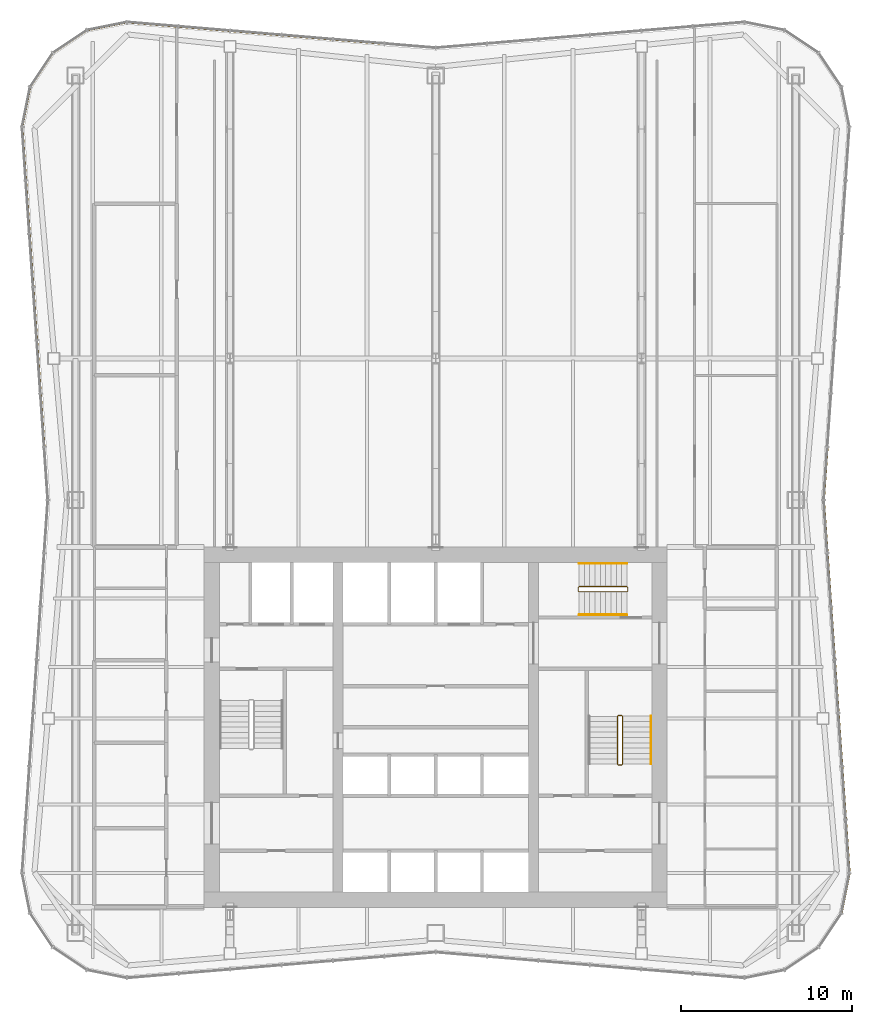
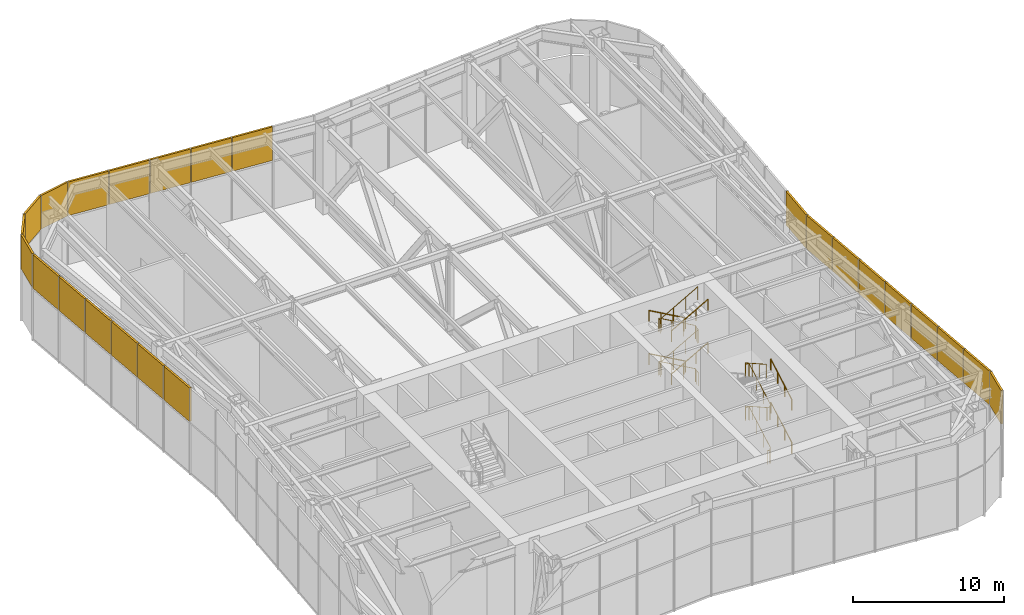
# One storey, part 13 of 14: 24 shading devices, 8 railings, 5 elements without a shape of their own.
"""IFC4 building model written with IfcOpenShell, lengths in metres."""

import ifcopenshell
import ifcopenshell.guid

model = None  # the IFC model being written
_history = None  # IfcOwnerHistory: only IFC2X3 demands one
_inside = {}  # id of a spatial element -> (the spatial element, [elements in it])
_under = {}  # id of a project, library or spatial element -> (it, [spatial elements below it])
_declared = {}  # id of a project -> (the project, [libraries it declares])
_typed = {}  # id of a type object -> (the type object, [elements of that type])
_made_of = {}  # id of a material, layer set ... -> (it, [elements and type objects made of it])


def new_model(schema):
    """Start an empty IFC model of exactly this schema.

    Asked for "IFC4X3", IfcOpenShell would pick the latest addendum, in which some entities
    have other attributes; the version numbers below select the first issue.
    IFC2X3 requires an IfcOwnerHistory on every rooted entity: one is made here for all.
    """
    global model, _history
    if schema == "IFC4X3":
        model = ifcopenshell.file(schema_version=(4, 3, 0, 0))
    else:
        model = ifcopenshell.file(schema=schema)
    _inside.clear()
    _under.clear()
    _declared.clear()
    _typed.clear()
    _made_of.clear()
    _history = None
    if model.schema == "IFC2X3":
        org = make("IfcOrganization", Name="unknown")
        user = make(
            "IfcPersonAndOrganization",
            ThePerson=make("IfcPerson", FamilyName="unknown"),
            TheOrganization=org,
        )
        app = make(
            "IfcApplication",
            ApplicationDeveloper=org,
            Version="unknown",
            ApplicationFullName="unknown",
            ApplicationIdentifier="unknown",
        )
        _history = make(
            "IfcOwnerHistory",
            OwningUser=user,
            OwningApplication=app,
            ChangeAction="ADDED",
            CreationDate=0,
        )
    return model


def make(cls, **values):
    """One entity of the class cls with the attributes given. An attribute that is None is left unset."""
    return model.create_entity(
        cls, **{name: value for name, value in values.items() if value is not None}
    )


def rooted(cls, **values):
    """An entity with a GlobalId (a new one), such as an element, a storey or a relation."""
    return make(cls, GlobalId=ifcopenshell.guid.new(), OwnerHistory=_history, **values)


def si_unit(unit_type, name, prefix=None):
    """IfcSIUnit, for example si_unit("LENGTHUNIT", "METRE", prefix="MILLI")."""
    return make("IfcSIUnit", UnitType=unit_type, Prefix=prefix, Name=name)


def assignment(units):
    """IfcUnitAssignment: the units of a project."""
    return None if units is None else make("IfcUnitAssignment", Units=units)


def point(xyz):
    """IfcCartesianPoint."""
    return None if xyz is None else make("IfcCartesianPoint", Coordinates=xyz)


def direction(xyz):
    """IfcDirection."""
    return None if xyz is None else make("IfcDirection", DirectionRatios=xyz)


def frame(location, z_axis=None, x_axis=None):
    """IfcAxis2Placement3D, a coordinate frame: its origin and axes. An axis left out is left unset."""
    return make(
        "IfcAxis2Placement3D",
        Location=point(location),
        Axis=direction(z_axis),
        RefDirection=direction(x_axis),
    )


def frame_2d(location, x_axis=None):
    """IfcAxis2Placement2D, a coordinate frame in the plane: its origin and x axis."""
    return make(
        "IfcAxis2Placement2D", Location=point(location), RefDirection=direction(x_axis)
    )


def origin():
    """The frame at (0, 0, 0) with its axes left unset."""
    return frame((0.0, 0.0, 0.0))


def origin_2d():
    """The frame at (0, 0) in the plane with its x axis left unset."""
    return frame_2d((0.0, 0.0))


def place(relative_to, where):
    """IfcLocalPlacement: puts the frame where relative to a parent placement (None: the world)."""
    return make(
        "IfcLocalPlacement", PlacementRelTo=relative_to, RelativePlacement=where
    )


def context(
    kind, dimensions, precision=None, world=None, true_north=None, identifier=None
):
    """IfcGeometricRepresentationContext, for example the 3D "Model" context."""
    return make(
        "IfcGeometricRepresentationContext",
        ContextIdentifier=identifier,
        ContextType=kind,
        CoordinateSpaceDimension=dimensions,
        Precision=precision,
        WorldCoordinateSystem=world,
        TrueNorth=true_north,
    )


def subcontext(parent, identifier, kind, view, scale=None):
    """IfcGeometricRepresentationSubContext, for example "Body" below "Model"."""
    return make(
        "IfcGeometricRepresentationSubContext",
        ContextIdentifier=identifier,
        ContextType=kind,
        ParentContext=parent,
        TargetScale=scale,
        TargetView=view,
    )


def project(units=None, contexts=None):
    """IfcProject with its units and contexts."""
    return rooted(
        "IfcProject",
        Name="project",
        RepresentationContexts=contexts,
        UnitsInContext=assignment(units),
    )


def spatial(cls, under=None, at=None, **own):
    """A site, building, storey or space (cls), placed at a placement, below another one or the project."""
    s = rooted(cls, ObjectPlacement=at, **own)
    if under is not None:
        _under.setdefault(under.id(), (under, []))[1].append(s)
    return s


def profile(cls, at=None, kind="AREA", **sizes):
    """A parametric profile (cls). Its sizes go by their IFC names, for example OverallWidth=200.0."""
    return make(cls, ProfileType=kind, Position=at, **sizes)


def rectangle(**sizes):
    """IfcRectangleProfileDef."""
    return profile("IfcRectangleProfileDef", **sizes)


def circle(**sizes):
    """IfcCircleProfileDef."""
    return profile("IfcCircleProfileDef", **sizes)


def extrude(swept, where, along, depth):
    """IfcExtrudedAreaSolid: the profile swept, set in the frame where, extruded along a direction by depth."""
    return make(
        "IfcExtrudedAreaSolid",
        SweptArea=swept,
        Position=where,
        ExtrudedDirection=direction(along),
        Depth=depth,
    )


def shape(context_of_items, identifier, shape_type, items):
    """IfcShapeRepresentation: the items that make up one representation, for example the "Body"."""
    return make(
        "IfcShapeRepresentation",
        ContextOfItems=context_of_items,
        RepresentationIdentifier=identifier,
        RepresentationType=shape_type,
        Items=items,
    )


def material(Name=None, Category=None):
    """IfcMaterial."""
    return make("IfcMaterial", Name=Name, Category=Category)


def layer(
    of_material, thickness, ventilated=None, Name=None, Category=None, Priority=None
):
    """IfcMaterialLayer: one layer of a wall or slab, of a material (None: an air gap)."""
    return make(
        "IfcMaterialLayer",
        Material=of_material,
        LayerThickness=thickness,
        IsVentilated=ventilated,
        Name=Name,
        Category=Category,
        Priority=Priority,
    )


def layer_set(layers, Name=None):
    """IfcMaterialLayerSet."""
    return make("IfcMaterialLayerSet", MaterialLayers=layers, LayerSetName=Name)


def made_of(thing, what):
    """Note that an element or type object is made of a material, layer set ...; save() writes the relation."""
    if what is not None:
        _made_of.setdefault(what.id(), (what, []))[1].append(thing)
    return thing


def type_object(cls, material=None, **own):
    """A type object (cls), such as IfcWallType, which elements share."""
    return made_of(rooted(cls, **own), material)


def element(
    cls,
    number,
    at=None,
    inside=None,
    cuts=None,
    type_object=None,
    material=None,
    context=None,
    identifier="Body",
    shape_type=None,
    held_by="IfcProductDefinitionShape",
    body=None,
    shapes=None,
    **own,
):
    """One element of the class cls, such as IfcWall. Its Tag is "e" and its number.

    at: its placement. inside: the storey or other place that contains it. cuts: it is an
    opening in that element (IfcRelVoidsElement). A single representation is given by context,
    identifier, shape_type and body (its items); several are given by shapes. held_by: the class
    of the entity that holds the representations. save() writes the other relations.
    """
    e = rooted(cls, Tag="e%d" % number, ObjectPlacement=at, **own)
    if body is not None:
        shapes = [shape(context, identifier, shape_type, body)]
    if shapes is not None:
        e.Representation = make(held_by, Representations=shapes)
    if inside is not None:
        _inside.setdefault(inside.id(), (inside, []))[1].append(e)
    if cuts is not None:
        rooted(
            "IfcRelVoidsElement", RelatingBuildingElement=cuts, RelatedOpeningElement=e
        )
    if type_object is not None:
        _typed.setdefault(type_object.id(), (type_object, []))[1].append(e)
    return made_of(e, material)


def aggregate(whole, parts):
    """IfcRelAggregates: a whole, such as a stair, and the parts it consists of."""
    return rooted("IfcRelAggregates", RelatingObject=whole, RelatedObjects=parts)


def save(model, path):
    """Write the relations noted so far, then the file.

    IfcRelAggregates (storeys below a building ...), IfcRelContainedInSpatialStructure (elements
    in a storey), IfcRelDefinesByType, IfcRelAssociatesMaterial and IfcRelDeclares: one each for
    every whole, place, type object, material and project.
    """
    for whole, parts in _under.values():
        aggregate(whole, parts)
    for where, things in _inside.values():
        rooted(
            "IfcRelContainedInSpatialStructure",
            RelatedElements=things,
            RelatingStructure=where,
        )
    for kind, things in _typed.values():
        rooted("IfcRelDefinesByType", RelatedObjects=things, RelatingType=kind)
    for what, things in _made_of.values():
        rooted("IfcRelAssociatesMaterial", RelatedObjects=things, RelatingMaterial=what)
    for by, libraries in _declared.values():
        rooted("IfcRelDeclares", RelatingContext=by, RelatedDefinitions=libraries)
    model.write(path)


model = new_model("IFC4")

# Units and contexts
model_context = context("Model", 3, precision=1e-05, world=origin(), true_north=direction((0.0, 1.0)))
body_context = subcontext(model_context, "Body", "Model", "MODEL_VIEW")
ifc_project = project(units=[si_unit("LENGTHUNIT", "METRE"), si_unit("AREAUNIT", "SQUARE_METRE"), si_unit("VOLUMEUNIT", "CUBIC_METRE"), si_unit("PLANEANGLEUNIT", "RADIAN"), si_unit("MASSUNIT", "GRAM", prefix="KILO")], contexts=[model_context])

# Site, building, storey
site_placement = place(None, origin())
site = spatial("IfcSite", under=ifc_project, at=site_placement, CompositionType="ELEMENT")
building_placement = place(site_placement, origin())
building = spatial("IfcBuilding", under=site, at=building_placement, Name="Verdant Reach Tower", CompositionType="ELEMENT")
storey_placement = place(building_placement, frame((0.0, 0.0, 226.0)))
storey = spatial("IfcBuildingStorey", under=building, at=storey_placement, Name="L52 Plant", CompositionType="ELEMENT", Elevation=226.0)

# Railings
ifc_material_1 = material(Name="Stainless steel", Category="steel")
railing_type_1 = type_object("IfcRailingType", Name="CO-GUARD", PredefinedType="GUARDRAIL", material=ifc_material_1)
railing_1_placement = place(storey_placement, frame((10.64990234375, 25.800048828125, 0.0)))
element("IfcRailing", 1, at=railing_1_placement, inside=storey, type_object=railing_type_1, Name="L52 Plant ST-2 stair guard 1", PredefinedType="GUARDRAIL", context=body_context, shape_type="SweptSolid", body=[
    extrude(circle(Radius=0.02392578125, at=origin_2d()), frame((0.0, 0.0, 1.076171875), z_axis=(1.0, 0.0, 0.0), x_axis=(0.0, 1.0, 0.0)), (0.0, 0.0, 1.0), 0.2001953125),
    extrude(circle(Radius=0.02392578125, at=origin_2d()), frame((0.2001953125, 0.0, 1.076171875), z_axis=(0.263862480399, 0.265155923931, 0.927399011991), x_axis=(-0.708833529934, 0.705375805398, 0.0)), (0.0, 0.0, 1.0), 0.188720703125),
    extrude(circle(Radius=0.02392578125, at=origin_2d()), frame((0.25, 0.050048828125, 1.2509765625), z_axis=(0.0, 0.870815363784, 0.491610213684), x_axis=(-1.0, 0.0, 0.0)), (0.0, 0.0, 1.0), 3.20361328125),
    extrude(circle(Radius=0.02392578125, at=origin_2d()), frame((0.25, 2.83984375, 2.826171875), z_axis=(-0.705375805398, 0.708833529934, 0.0), x_axis=(-0.708833529934, -0.705375805398, 0.0)), (0.0, 0.0, 1.0), 0.070556640625),
    extrude(circle(Radius=0.02392578125, at=origin_2d()), frame((0.2001953125, 2.889892578125, 2.826171875), z_axis=(-1.0, 0.0, 0.0), x_axis=(0.0, -1.0, 0.0)), (0.0, 0.0, 1.0), 0.2001953125),
    extrude(circle(Radius=0.02392578125, at=origin_2d()), frame((0.0, 2.889892578125, 2.826171875), z_axis=(-0.263862480399, -0.265155923931, 0.927399011991), x_axis=(0.708833529934, -0.705375805398, 0.0)), (0.0, 0.0, 1.0), 0.188720703125),
    extrude(circle(Radius=0.02392578125, at=origin_2d()), frame((-0.0498046875, 2.83984375, 3.0009765625), z_axis=(0.0, -0.870815363784, 0.491610213684), x_axis=(1.0, 0.0, 0.0)), (0.0, 0.0, 1.0), 3.20361328125),
    extrude(circle(Radius=0.02392578125, at=origin_2d()), frame((-0.0498046875, 0.050048828125, 4.576171875), z_axis=(0.705375805398, -0.708833529934, 0.0), x_axis=(0.708833529934, 0.705375805398, 0.0)), (0.0, 0.0, 1.0), 0.070556640625),
    extrude(circle(Radius=0.02392578125, at=origin_2d()), frame((0.0, 0.0, 4.576171875), z_axis=(1.0, 0.0, 0.0), x_axis=(0.0, 1.0, 0.0)), (0.0, 0.0, 1.0), 0.2001953125),
    extrude(circle(Radius=0.02392578125, at=origin_2d()), frame((0.2001953125, 0.0, 4.576171875), z_axis=(0.263862480399, 0.265155923931, 0.927399011991), x_axis=(-0.708833529934, 0.705375805398, 0.0)), (0.0, 0.0, 1.0), 0.188720703125),
    extrude(circle(Radius=0.02392578125, at=origin_2d()), frame((0.25, 0.050048828125, 4.7509765625), z_axis=(0.0, 0.870815363784, 0.491610213684), x_axis=(-1.0, 0.0, 0.0)), (0.0, 0.0, 1.0), 3.20361328125),
    extrude(circle(Radius=0.02392578125, at=origin_2d()), frame((0.25, 2.83984375, 6.326171875), z_axis=(-0.705375805398, 0.708833529934, 0.0), x_axis=(-0.708833529934, -0.705375805398, 0.0)), (0.0, 0.0, 1.0), 0.070556640625),
    extrude(circle(Radius=0.02392578125, at=origin_2d()), frame((0.2001953125, 2.889892578125, 6.326171875), z_axis=(-1.0, 0.0, 0.0), x_axis=(0.0, -1.0, 0.0)), (0.0, 0.0, 1.0), 0.2001953125),
    extrude(circle(Radius=0.02392578125, at=origin_2d()), frame((0.0, 2.889892578125, 6.326171875), z_axis=(-0.263862480399, -0.265155923931, 0.927399011991), x_axis=(0.708833529934, -0.705375805398, 0.0)), (0.0, 0.0, 1.0), 0.188720703125),
    extrude(circle(Radius=0.02392578125, at=origin_2d()), frame((-0.0498046875, 2.83984375, 6.5009765625), z_axis=(0.0, -0.870815363784, 0.491610213684), x_axis=(1.0, 0.0, 0.0)), (0.0, 0.0, 1.0), 3.20361328125),
    extrude(circle(Radius=0.02099609375, at=origin_2d()), origin(), (0.0, 0.0, 1.0), 1.052001953125),
    extrude(circle(Radius=0.02099609375, at=origin_2d()), frame((0.2001953125, 0.0, 0.0)), (0.0, 0.0, 1.0), 1.052001953125),
    extrude(circle(Radius=0.02099609375, at=origin_2d()), frame((0.25, 0.050048828125, 0.175048828125)), (0.0, 0.0, 1.0), 1.052001953125),
    extrude(circle(Radius=0.02099609375, at=origin_2d()), frame((0.25, 0.97998046875, 0.699951171875)), (0.0, 0.0, 1.0), 1.052001953125),
    extrude(circle(Radius=0.02099609375, at=origin_2d()), frame((0.25, 1.909912109375, 1.22509765625)), (0.0, 0.0, 1.0), 1.052001953125),
    extrude(circle(Radius=0.02099609375, at=origin_2d()), frame((0.25, 2.83984375, 1.75)), (0.0, 0.0, 1.0), 1.052001953125),
    extrude(circle(Radius=0.02099609375, at=origin_2d()), frame((0.2001953125, 2.889892578125, 1.75)), (0.0, 0.0, 1.0), 1.052001953125),
    extrude(circle(Radius=0.02099609375, at=origin_2d()), frame((0.0, 2.889892578125, 1.75)), (0.0, 0.0, 1.0), 1.052001953125),
    extrude(circle(Radius=0.02099609375, at=origin_2d()), frame((-0.0498046875, 2.83984375, 1.925048828125)), (0.0, 0.0, 1.0), 1.052001953125),
    extrude(circle(Radius=0.02099609375, at=origin_2d()), frame((-0.0498046875, 1.909912109375, 2.449951171875)), (0.0, 0.0, 1.0), 1.052001953125),
    extrude(circle(Radius=0.02099609375, at=origin_2d()), frame((-0.0498046875, 0.97998046875, 2.97509765625)), (0.0, 0.0, 1.0), 1.052001953125),
    extrude(circle(Radius=0.02099609375, at=origin_2d()), frame((-0.0498046875, 0.050048828125, 3.5)), (0.0, 0.0, 1.0), 1.052001953125),
    extrude(circle(Radius=0.02099609375, at=origin_2d()), frame((0.0, 0.0, 3.5)), (0.0, 0.0, 1.0), 1.052001953125),
    extrude(circle(Radius=0.02099609375, at=origin_2d()), frame((0.2001953125, 0.0, 3.5)), (0.0, 0.0, 1.0), 1.052001953125),
    extrude(circle(Radius=0.02099609375, at=origin_2d()), frame((0.25, 0.050048828125, 3.675048828125)), (0.0, 0.0, 1.0), 1.052001953125),
    extrude(circle(Radius=0.02099609375, at=origin_2d()), frame((0.25, 0.97998046875, 4.199951171875)), (0.0, 0.0, 1.0), 1.052001953125),
    extrude(circle(Radius=0.02099609375, at=origin_2d()), frame((0.25, 1.909912109375, 4.72509765625)), (0.0, 0.0, 1.0), 1.052001953125),
    extrude(circle(Radius=0.02099609375, at=origin_2d()), frame((0.25, 2.83984375, 5.25)), (0.0, 0.0, 1.0), 1.052001953125),
    extrude(circle(Radius=0.02099609375, at=origin_2d()), frame((0.2001953125, 2.889892578125, 5.25)), (0.0, 0.0, 1.0), 1.052001953125),
    extrude(circle(Radius=0.02099609375, at=origin_2d()), frame((0.0, 2.889892578125, 5.25)), (0.0, 0.0, 1.0), 1.052001953125),
    extrude(circle(Radius=0.02099609375, at=origin_2d()), frame((-0.0498046875, 2.83984375, 5.425048828125)), (0.0, 0.0, 1.0), 1.052001953125),
    extrude(circle(Radius=0.02099609375, at=origin_2d()), frame((-0.0498046875, 1.909912109375, 5.949951171875)), (0.0, 0.0, 1.0), 1.052001953125),
    extrude(circle(Radius=0.02099609375, at=origin_2d()), frame((-0.0498046875, 0.97998046875, 6.47509765625)), (0.0, 0.0, 1.0), 1.052001953125),
    extrude(circle(Radius=0.02099609375, at=origin_2d()), frame((-0.0498046875, 0.050048828125, 7.0)), (0.0, 0.0, 1.0), 1.052001953125),
])
railing_2_placement = place(storey_placement, frame((11.199951171875, 35.949951171875, 0.0)))
element("IfcRailing", 2, at=railing_2_placement, inside=storey, type_object=railing_type_1, Name="L52 Plant ST-3 stair guard 1", PredefinedType="GUARDRAIL", context=body_context, shape_type="SweptSolid", body=[
    extrude(circle(Radius=0.02392578125, at=origin_2d()), frame((0.0, 0.0, 1.076171875), z_axis=(0.0, 1.0, 0.0), x_axis=(-1.0, 0.0, 0.0)), (0.0, 0.0, 1.0), 0.199951171875),
    extrude(circle(Radius=0.02392578125, at=origin_2d()), frame((0.0, 0.199951171875, 1.076171875), z_axis=(-0.265065253269, 0.265065253269, 0.927081885822), x_axis=(-0.707106781187, -0.707106781187, 0.0)), (0.0, 0.0, 1.0), 0.188720703125),
    extrude(circle(Radius=0.02392578125, at=origin_2d()), frame((-0.050048828125, 0.25, 1.2509765625), z_axis=(-0.870815363784, 0.0, 0.491610213684), x_axis=(0.0, -1.0, 0.0)), (0.0, 0.0, 1.0), 3.20361328125),
    extrude(circle(Radius=0.02392578125, at=origin_2d()), frame((-2.83984375, 0.25, 2.826171875), z_axis=(-0.707106781187, -0.707106781187, 0.0), x_axis=(0.707106781187, -0.707106781187, 0.0)), (0.0, 0.0, 1.0), 0.07080078125),
    extrude(circle(Radius=0.02392578125, at=origin_2d()), frame((-2.889892578125, 0.199951171875, 2.826171875), z_axis=(0.0, -1.0, 0.0), x_axis=(1.0, 0.0, 0.0)), (0.0, 0.0, 1.0), 0.199951171875),
    extrude(circle(Radius=0.02392578125, at=origin_2d()), frame((-2.889892578125, 0.0, 2.826171875), z_axis=(0.265065253269, -0.265065253269, 0.927081885822), x_axis=(0.707106781187, 0.707106781187, 0.0)), (0.0, 0.0, 1.0), 0.188720703125),
    extrude(circle(Radius=0.02392578125, at=origin_2d()), frame((-2.83984375, -0.050048828125, 3.0009765625), z_axis=(0.870815363784, 0.0, 0.491610213684), x_axis=(0.0, 1.0, 0.0)), (0.0, 0.0, 1.0), 3.20361328125),
    extrude(circle(Radius=0.02392578125, at=origin_2d()), frame((-0.050048828125, -0.050048828125, 4.576171875), z_axis=(0.707106781187, 0.707106781187, 0.0), x_axis=(-0.707106781187, 0.707106781187, 0.0)), (0.0, 0.0, 1.0), 0.07080078125),
    extrude(circle(Radius=0.02392578125, at=origin_2d()), frame((0.0, 0.0, 4.576171875), z_axis=(0.0, 1.0, 0.0), x_axis=(-1.0, 0.0, 0.0)), (0.0, 0.0, 1.0), 0.199951171875),
    extrude(circle(Radius=0.02392578125, at=origin_2d()), frame((0.0, 0.199951171875, 4.576171875), z_axis=(-0.265065253269, 0.265065253269, 0.927081885822), x_axis=(-0.707106781187, -0.707106781187, 0.0)), (0.0, 0.0, 1.0), 0.188720703125),
    extrude(circle(Radius=0.02392578125, at=origin_2d()), frame((-0.050048828125, 0.25, 4.7509765625), z_axis=(-0.870815363784, 0.0, 0.491610213684), x_axis=(0.0, -1.0, 0.0)), (0.0, 0.0, 1.0), 3.20361328125),
    extrude(circle(Radius=0.02392578125, at=origin_2d()), frame((-2.83984375, 0.25, 6.326171875), z_axis=(-0.707106781187, -0.707106781187, 0.0), x_axis=(0.707106781187, -0.707106781187, 0.0)), (0.0, 0.0, 1.0), 0.07080078125),
    extrude(circle(Radius=0.02392578125, at=origin_2d()), frame((-2.889892578125, 0.199951171875, 6.326171875), z_axis=(0.0, -1.0, 0.0), x_axis=(1.0, 0.0, 0.0)), (0.0, 0.0, 1.0), 0.199951171875),
    extrude(circle(Radius=0.02392578125, at=origin_2d()), frame((-2.889892578125, 0.0, 6.326171875), z_axis=(0.265065253269, -0.265065253269, 0.927081885822), x_axis=(0.707106781187, 0.707106781187, 0.0)), (0.0, 0.0, 1.0), 0.188720703125),
    extrude(circle(Radius=0.02392578125, at=origin_2d()), frame((-2.83984375, -0.050048828125, 6.5009765625), z_axis=(0.870815363784, 0.0, 0.491610213684), x_axis=(0.0, 1.0, 0.0)), (0.0, 0.0, 1.0), 3.20361328125),
    extrude(circle(Radius=0.02099609375, at=origin_2d()), origin(), (0.0, 0.0, 1.0), 1.052001953125),
    extrude(circle(Radius=0.02099609375, at=origin_2d()), frame((0.0, 0.199951171875, 0.0)), (0.0, 0.0, 1.0), 1.052001953125),
    extrude(circle(Radius=0.02099609375, at=origin_2d()), frame((-0.050048828125, 0.25, 0.175048828125)), (0.0, 0.0, 1.0), 1.052001953125),
    extrude(circle(Radius=0.02099609375, at=origin_2d()), frame((-0.97998046875, 0.25, 0.699951171875)), (0.0, 0.0, 1.0), 1.052001953125),
    extrude(circle(Radius=0.02099609375, at=origin_2d()), frame((-1.909912109375, 0.25, 1.22509765625)), (0.0, 0.0, 1.0), 1.052001953125),
    extrude(circle(Radius=0.02099609375, at=origin_2d()), frame((-2.83984375, 0.25, 1.75)), (0.0, 0.0, 1.0), 1.052001953125),
    extrude(circle(Radius=0.02099609375, at=origin_2d()), frame((-2.889892578125, 0.199951171875, 1.75)), (0.0, 0.0, 1.0), 1.052001953125),
    extrude(circle(Radius=0.02099609375, at=origin_2d()), frame((-2.889892578125, 0.0, 1.75)), (0.0, 0.0, 1.0), 1.052001953125),
    extrude(circle(Radius=0.02099609375, at=origin_2d()), frame((-2.83984375, -0.050048828125, 1.925048828125)), (0.0, 0.0, 1.0), 1.052001953125),
    extrude(circle(Radius=0.02099609375, at=origin_2d()), frame((-1.909912109375, -0.050048828125, 2.449951171875)), (0.0, 0.0, 1.0), 1.052001953125),
    extrude(circle(Radius=0.02099609375, at=origin_2d()), frame((-0.97998046875, -0.050048828125, 2.97509765625)), (0.0, 0.0, 1.0), 1.052001953125),
    extrude(circle(Radius=0.02099609375, at=origin_2d()), frame((-0.050048828125, -0.050048828125, 3.5)), (0.0, 0.0, 1.0), 1.052001953125),
    extrude(circle(Radius=0.02099609375, at=origin_2d()), frame((0.0, 0.0, 3.5)), (0.0, 0.0, 1.0), 1.052001953125),
    extrude(circle(Radius=0.02099609375, at=origin_2d()), frame((0.0, 0.199951171875, 3.5)), (0.0, 0.0, 1.0), 1.052001953125),
    extrude(circle(Radius=0.02099609375, at=origin_2d()), frame((-0.050048828125, 0.25, 3.675048828125)), (0.0, 0.0, 1.0), 1.052001953125),
    extrude(circle(Radius=0.02099609375, at=origin_2d()), frame((-0.97998046875, 0.25, 4.199951171875)), (0.0, 0.0, 1.0), 1.052001953125),
    extrude(circle(Radius=0.02099609375, at=origin_2d()), frame((-1.909912109375, 0.25, 4.72509765625)), (0.0, 0.0, 1.0), 1.052001953125),
    extrude(circle(Radius=0.02099609375, at=origin_2d()), frame((-2.83984375, 0.25, 5.25)), (0.0, 0.0, 1.0), 1.052001953125),
    extrude(circle(Radius=0.02099609375, at=origin_2d()), frame((-2.889892578125, 0.199951171875, 5.25)), (0.0, 0.0, 1.0), 1.052001953125),
    extrude(circle(Radius=0.02099609375, at=origin_2d()), frame((-2.889892578125, 0.0, 5.25)), (0.0, 0.0, 1.0), 1.052001953125),
    extrude(circle(Radius=0.02099609375, at=origin_2d()), frame((-2.83984375, -0.050048828125, 5.425048828125)), (0.0, 0.0, 1.0), 1.052001953125),
    extrude(circle(Radius=0.02099609375, at=origin_2d()), frame((-1.909912109375, -0.050048828125, 5.949951171875)), (0.0, 0.0, 1.0), 1.052001953125),
    extrude(circle(Radius=0.02099609375, at=origin_2d()), frame((-0.97998046875, -0.050048828125, 6.47509765625)), (0.0, 0.0, 1.0), 1.052001953125),
    extrude(circle(Radius=0.02099609375, at=origin_2d()), frame((-0.050048828125, -0.050048828125, 7.0)), (0.0, 0.0, 1.0), 1.052001953125),
])
railing_type_2 = type_object("IfcRailingType", Name="CO-HANDRAIL", PredefinedType="HANDRAIL", material=ifc_material_1)
for number, where, name in (
    (3, (12.550048828125, 25.85009765625, 0.175048828125), "L52 Plant ST-2 stair handrail 1"),
    (4, (12.550048828125, 25.85009765625, 3.675048828125), "L52 Plant ST-2 stair handrail 3"),
):
    element("IfcRailing", number, at=place(storey_placement, frame(where)), inside=storey, type_object=railing_type_2, Name=name, PredefinedType="HANDRAIL", context=body_context, shape_type="SweptSolid", body=[
        extrude(circle(Radius=0.02392578125, at=origin_2d()), frame((0.0, 0.0, 0.8759765625), z_axis=(0.0, 0.870815363784, 0.491610213684), x_axis=(-1.0, 0.0, 0.0)), (0.0, 0.0, 1.0), 3.20361328125),
        extrude(circle(Radius=0.02099609375, at=origin_2d()), origin(), (0.0, 0.0, 1.0), 0.851806640625),
        extrude(circle(Radius=0.02099609375, at=origin_2d()), frame((0.0, 0.929931640625, 0.52490234375)), (0.0, 0.0, 1.0), 0.851806640625),
        extrude(circle(Radius=0.02099609375, at=origin_2d()), frame((0.0, 1.85986328125, 1.050048828125)), (0.0, 0.0, 1.0), 0.851806640625),
        extrude(circle(Radius=0.02099609375, at=origin_2d()), frame((0.0, 2.789794921875, 1.574951171875)), (0.0, 0.0, 1.0), 0.851806640625),
    ])
railing_3_placement = place(storey_placement, frame((11.14990234375, 37.550048828125, 0.175048828125)))
element("IfcRailing", 5, at=railing_3_placement, inside=storey, type_object=railing_type_2, Name="L52 Plant ST-3 stair handrail 1", PredefinedType="HANDRAIL", context=body_context, shape_type="SweptSolid", body=[
    extrude(circle(Radius=0.02392578125, at=origin_2d()), frame((0.0, 0.0, 0.8759765625), z_axis=(-0.870815363784, 0.0, 0.491610213684), x_axis=(0.0, -1.0, 0.0)), (0.0, 0.0, 1.0), 3.20361328125),
    extrude(circle(Radius=0.02099609375, at=origin_2d()), origin(), (0.0, 0.0, 1.0), 0.851806640625),
    extrude(circle(Radius=0.02099609375, at=origin_2d()), frame((-0.929931640625, 0.0, 0.52490234375)), (0.0, 0.0, 1.0), 0.851806640625),
    extrude(circle(Radius=0.02099609375, at=origin_2d()), frame((-1.85986328125, 0.0, 1.050048828125)), (0.0, 0.0, 1.0), 0.851806640625),
    extrude(circle(Radius=0.02099609375, at=origin_2d()), frame((-2.789794921875, 0.0, 1.574951171875)), (0.0, 0.0, 1.0), 0.851806640625),
])
railing_4_placement = place(storey_placement, frame((8.360107421875, 34.550048828125, 1.925048828125)))
element("IfcRailing", 6, at=railing_4_placement, inside=storey, type_object=railing_type_2, Name="L52 Plant ST-3 stair handrail 2", PredefinedType="HANDRAIL", context=body_context, shape_type="SweptSolid", body=[
    extrude(circle(Radius=0.02392578125, at=origin_2d()), frame((0.0, 0.0, 0.8759765625), z_axis=(0.870815363784, 0.0, 0.491610213684), x_axis=(0.0, 1.0, 0.0)), (0.0, 0.0, 1.0), 3.20361328125),
    extrude(circle(Radius=0.02099609375, at=origin_2d()), origin(), (0.0, 0.0, 1.0), 0.851806640625),
    extrude(circle(Radius=0.02099609375, at=origin_2d()), frame((0.929931640625, 0.0, 0.52490234375)), (0.0, 0.0, 1.0), 0.851806640625),
    extrude(circle(Radius=0.02099609375, at=origin_2d()), frame((1.85986328125, 0.0, 1.050048828125)), (0.0, 0.0, 1.0), 0.851806640625),
    extrude(circle(Radius=0.02099609375, at=origin_2d()), frame((2.789794921875, 0.0, 1.574951171875)), (0.0, 0.0, 1.0), 0.851806640625),
])
railing_5_placement = place(storey_placement, frame((11.14990234375, 37.550048828125, 3.675048828125)))
element("IfcRailing", 7, at=railing_5_placement, inside=storey, type_object=railing_type_2, Name="L52 Plant ST-3 stair handrail 3", PredefinedType="HANDRAIL", context=body_context, shape_type="SweptSolid", body=[
    extrude(circle(Radius=0.02392578125, at=origin_2d()), frame((0.0, 0.0, 0.8759765625), z_axis=(-0.870815363784, 0.0, 0.491610213684), x_axis=(0.0, -1.0, 0.0)), (0.0, 0.0, 1.0), 3.20361328125),
    extrude(circle(Radius=0.02099609375, at=origin_2d()), origin(), (0.0, 0.0, 1.0), 0.851806640625),
    extrude(circle(Radius=0.02099609375, at=origin_2d()), frame((-0.929931640625, 0.0, 0.52490234375)), (0.0, 0.0, 1.0), 0.851806640625),
    extrude(circle(Radius=0.02099609375, at=origin_2d()), frame((-1.85986328125, 0.0, 1.050048828125)), (0.0, 0.0, 1.0), 0.851806640625),
    extrude(circle(Radius=0.02099609375, at=origin_2d()), frame((-2.789794921875, 0.0, 1.574951171875)), (0.0, 0.0, 1.0), 0.851806640625),
])
railing_6_placement = place(storey_placement, frame((8.360107421875, 34.550048828125, 5.425048828125)))
element("IfcRailing", 8, at=railing_6_placement, inside=storey, type_object=railing_type_2, Name="L52 Plant ST-3 stair handrail 4", PredefinedType="HANDRAIL", context=body_context, shape_type="SweptSolid", body=[
    extrude(circle(Radius=0.02392578125, at=origin_2d()), frame((0.0, 0.0, 0.8759765625), z_axis=(0.870815363784, 0.0, 0.491610213684), x_axis=(0.0, 1.0, 0.0)), (0.0, 0.0, 1.0), 3.20361328125),
    extrude(circle(Radius=0.02099609375, at=origin_2d()), origin(), (0.0, 0.0, 1.0), 0.851806640625),
    extrude(circle(Radius=0.02099609375, at=origin_2d()), frame((0.929931640625, 0.0, 0.52490234375)), (0.0, 0.0, 1.0), 0.851806640625),
    extrude(circle(Radius=0.02099609375, at=origin_2d()), frame((1.85986328125, 0.0, 1.050048828125)), (0.0, 0.0, 1.0), 0.851806640625),
    extrude(circle(Radius=0.02099609375, at=origin_2d()), frame((2.789794921875, 0.0, 1.574951171875)), (0.0, 0.0, 1.0), 0.851806640625),
])

# Curtain wall, shading device
ifc_material_2 = material(Name="Anodised aluminium", Category="aluminium")
curtain_wall_type = type_object("IfcCurtainWallType", Name="EN-CW SYSTEM PLANT", PredefinedType="NOTDEFINED", material=ifc_material_2)
curtain_wall_1_placement = place(storey_placement, origin())
curtain_wall_1 = element("IfcCurtainWall", 9, at=curtain_wall_1_placement, inside=storey, type_object=curtain_wall_type, Name="Curtain wall south-east corner, L52", PredefinedType="NOTDEFINED")
ifc_material_3 = material(Name="Bronze anodised aluminium louvre", Category="aluminium")
ifc_layer = layer(ifc_material_3, 0.14990234375)
ifc_layer_set = layer_set([ifc_layer], Name="EN-LOUVRE")
shading_device_type = type_object("IfcShadingDeviceType", Name="EN-LOUVRE", PredefinedType="USERDEFINED", material=ifc_layer_set)
shading_device_1_placement = place(storey_placement, frame((23.885986328125, 18.325439453125, 3.925048828125), z_axis=(0.0, 0.0, 1.0), x_axis=(0.195592962334, 0.980685165119, 0.0)))
shading_device_1 = element("IfcShadingDevice", 10, at=shading_device_1_placement, type_object=shading_device_type, Name="Louvre bank south-east corner 4, L52", ObjectType="LOUVRE", PredefinedType="USERDEFINED", context=body_context, shape_type="SweptSolid", body=[
    extrude(rectangle(XDim=2.303955078125, YDim=0.14990234375, at=origin_2d()), origin(), (0.0, 0.0, 1.0), 2.72509765625),
])
aggregate(curtain_wall_1, [shading_device_1])

# Curtain wall, shading devices
curtain_wall_2_placement = place(storey_placement, origin())
curtain_wall_2 = element("IfcCurtainWall", 11, at=curtain_wall_2_placement, inside=storey, type_object=curtain_wall_type, Name="Curtain wall east, L52", PredefinedType="NOTDEFINED")
shading_device_2_placement = place(storey_placement, frame((24.011474609375, 21.053955078125, 3.925048828125), z_axis=(0.0, 0.0, 1.0), x_axis=(-0.068469163133, 0.997653233193, 0.0)))
shading_device_2 = element("IfcShadingDevice", 12, at=shading_device_2_placement, type_object=shading_device_type, Name="Louvre bank east face part 1 1, L52", ObjectType="LOUVRE", PredefinedType="USERDEFINED", context=body_context, shape_type="SweptSolid", body=[
    extrude(rectangle(XDim=3.05419921875, YDim=0.14990234375, at=origin_2d()), origin(), (0.0, 0.0, 1.0), 2.72509765625),
])
shading_device_3_placement = place(storey_placement, frame((23.79736328125, 24.1689453125, 3.925048828125), z_axis=(0.0, 0.0, 1.0), x_axis=(-0.068802091615, 0.997630328423, 0.0)))
shading_device_3 = element("IfcShadingDevice", 13, at=shading_device_3_placement, type_object=shading_device_type, Name="Louvre bank east face part 1 2, L52", ObjectType="LOUVRE", PredefinedType="USERDEFINED", context=body_context, shape_type="SweptSolid", body=[
    extrude(rectangle(XDim=3.03857421875, YDim=0.14990234375, at=origin_2d()), origin(), (0.0, 0.0, 1.0), 2.72509765625),
])
shading_device_4_placement = place(storey_placement, frame((23.5830078125, 27.276123046875, 3.925048828125), z_axis=(0.0, 0.0, 1.0), x_axis=(-0.068802091615, 0.997630328423, 0.0)))
shading_device_4 = element("IfcShadingDevice", 14, at=shading_device_4_placement, type_object=shading_device_type, Name="Louvre bank east face part 1 3, L52", ObjectType="LOUVRE", PredefinedType="USERDEFINED", context=body_context, shape_type="SweptSolid", body=[
    extrude(rectangle(XDim=3.03857421875, YDim=0.14990234375, at=origin_2d()), origin(), (0.0, 0.0, 1.0), 2.72509765625),
])
shading_device_5_placement = place(storey_placement, frame((23.36865234375, 30.38330078125, 3.925048828125), z_axis=(0.0, 0.0, 1.0), x_axis=(-0.068802091615, 0.997630328423, 0.0)))
shading_device_5 = element("IfcShadingDevice", 15, at=shading_device_5_placement, type_object=shading_device_type, Name="Louvre bank east face part 1 4, L52", ObjectType="LOUVRE", PredefinedType="USERDEFINED", context=body_context, shape_type="SweptSolid", body=[
    extrude(rectangle(XDim=3.03857421875, YDim=0.14990234375, at=origin_2d()), origin(), (0.0, 0.0, 1.0), 2.72509765625),
])
shading_device_6_placement = place(storey_placement, frame((23.154541015625, 33.490234375, 3.925048828125), z_axis=(0.0, 0.0, 1.0), x_axis=(-0.068802091615, 0.997630328423, 0.0)))
shading_device_6 = element("IfcShadingDevice", 16, at=shading_device_6_placement, type_object=shading_device_type, Name="Louvre bank east face part 1 5, L52", ObjectType="LOUVRE", PredefinedType="USERDEFINED", context=body_context, shape_type="SweptSolid", body=[
    extrude(rectangle(XDim=3.03857421875, YDim=0.14990234375, at=origin_2d()), origin(), (0.0, 0.0, 1.0), 2.72509765625),
])
shading_device_7_placement = place(storey_placement, frame((22.940185546875, 36.597412109375, 3.925048828125), z_axis=(0.0, 0.0, 1.0), x_axis=(-0.068802091615, 0.997630328423, 0.0)))
shading_device_7 = element("IfcShadingDevice", 17, at=shading_device_7_placement, type_object=shading_device_type, Name="Louvre bank east face part 1 6, L52", ObjectType="LOUVRE", PredefinedType="USERDEFINED", context=body_context, shape_type="SweptSolid", body=[
    extrude(rectangle(XDim=3.03857421875, YDim=0.14990234375, at=origin_2d()), origin(), (0.0, 0.0, 1.0), 2.72509765625),
])
shading_device_8_placement = place(storey_placement, frame((22.72607421875, 39.700439453125, 3.925048828125), z_axis=(0.0, 0.0, 1.0), x_axis=(-0.068892655483, 0.997624078509, 0.0)))
shading_device_8 = element("IfcShadingDevice", 18, at=shading_device_8_placement, type_object=shading_device_type, Name="Louvre bank east face part 1 7, L52", ObjectType="LOUVRE", PredefinedType="USERDEFINED", context=body_context, shape_type="SweptSolid", body=[
    extrude(rectangle(XDim=3.0302734375, YDim=0.14990234375, at=origin_2d()), origin(), (0.0, 0.0, 1.0), 2.72509765625),
])
shading_device_9_placement = place(storey_placement, frame((22.72607421875, 42.799560546875, 3.925048828125), z_axis=(0.0, 0.0, 1.0), x_axis=(0.068892655483, 0.997624078509, 0.0)))
shading_device_9 = element("IfcShadingDevice", 19, at=shading_device_9_placement, type_object=shading_device_type, Name="Louvre bank east face part 2 1, L52", ObjectType="LOUVRE", PredefinedType="USERDEFINED", context=body_context, shape_type="SweptSolid", body=[
    extrude(rectangle(XDim=3.0302734375, YDim=0.14990234375, at=origin_2d()), origin(), (0.0, 0.0, 1.0), 2.72509765625),
])
aggregate(curtain_wall_2, [shading_device_2, shading_device_3, shading_device_4, shading_device_5, shading_device_6, shading_device_7, shading_device_8, shading_device_9])

curtain_wall_3_placement = place(storey_placement, origin())
curtain_wall_3 = element("IfcCurtainWall", 20, at=curtain_wall_3_placement, inside=storey, type_object=curtain_wall_type, Name="Curtain wall north, L52", PredefinedType="NOTDEFINED")
shading_device_10_placement = place(storey_placement, frame((-4.490234375, 67.99365234375, 3.925048828125), z_axis=(0.0, 0.0, 1.0), x_axis=(-0.996545758244, 0.083045479859, 0.0)))
shading_device_10 = element("IfcShadingDevice", 21, at=shading_device_10_placement, type_object=shading_device_type, Name="Louvre bank north face part 2 2, L52", ObjectType="LOUVRE", PredefinedType="USERDEFINED", context=body_context, shape_type="SweptSolid", body=[
    extrude(rectangle(XDim=2.934326171875, YDim=0.14990234375, at=origin_2d()), origin(), (0.0, 0.0, 1.0), 2.72509765625),
])
shading_device_11_placement = place(storey_placement, frame((-7.490234375, 68.24365234375, 3.925048828125), z_axis=(0.0, 0.0, 1.0), x_axis=(-0.996545758244, 0.083045479859, 0.0)))
shading_device_11 = element("IfcShadingDevice", 22, at=shading_device_11_placement, type_object=shading_device_type, Name="Louvre bank north face part 2 3, L52", ObjectType="LOUVRE", PredefinedType="USERDEFINED", context=body_context, shape_type="SweptSolid", body=[
    extrude(rectangle(XDim=2.934326171875, YDim=0.14990234375, at=origin_2d()), origin(), (0.0, 0.0, 1.0), 2.72509765625),
])
shading_device_12_placement = place(storey_placement, frame((-10.490234375, 68.49365234375, 3.925048828125), z_axis=(0.0, 0.0, 1.0), x_axis=(-0.996545758244, 0.083045479859, 0.0)))
shading_device_12 = element("IfcShadingDevice", 23, at=shading_device_12_placement, type_object=shading_device_type, Name="Louvre bank north face part 2 4, L52", ObjectType="LOUVRE", PredefinedType="USERDEFINED", context=body_context, shape_type="SweptSolid", body=[
    extrude(rectangle(XDim=2.934326171875, YDim=0.14990234375, at=origin_2d()), origin(), (0.0, 0.0, 1.0), 2.72509765625),
])
shading_device_13_placement = place(storey_placement, frame((-13.490234375, 68.74365234375, 3.925048828125), z_axis=(0.0, 0.0, 1.0), x_axis=(-0.996545758244, 0.083045479859, 0.0)))
shading_device_13 = element("IfcShadingDevice", 24, at=shading_device_13_placement, type_object=shading_device_type, Name="Louvre bank north face part 2 5, L52", ObjectType="LOUVRE", PredefinedType="USERDEFINED", context=body_context, shape_type="SweptSolid", body=[
    extrude(rectangle(XDim=2.934326171875, YDim=0.14990234375, at=origin_2d()), origin(), (0.0, 0.0, 1.0), 2.72509765625),
])
shading_device_14_placement = place(storey_placement, frame((-16.49853515625, 68.99365234375, 3.925048828125), z_axis=(0.0, 0.0, 1.0), x_axis=(-0.996577509664, 0.082663578629, 0.0)))
shading_device_14 = element("IfcShadingDevice", 25, at=shading_device_14_placement, type_object=shading_device_type, Name="Louvre bank north face part 2 6, L52", ObjectType="LOUVRE", PredefinedType="USERDEFINED", context=body_context, shape_type="SweptSolid", body=[
    extrude(rectangle(XDim=2.950927734375, YDim=0.14990234375, at=origin_2d()), origin(), (0.0, 0.0, 1.0), 2.72509765625),
])
aggregate(curtain_wall_3, [shading_device_10, shading_device_11, shading_device_12, shading_device_13, shading_device_14])

curtain_wall_4_placement = place(storey_placement, origin())
curtain_wall_4 = element("IfcCurtainWall", 26, at=curtain_wall_4_placement, inside=storey, type_object=curtain_wall_type, Name="Curtain wall north-west corner, L52", PredefinedType="NOTDEFINED")
shading_device_15_placement = place(storey_placement, frame((-19.174072265625, 68.885986328125, 3.925048828125), z_axis=(0.0, 0.0, 1.0), x_axis=(-0.980694678629, -0.195545256419, 0.0)))
shading_device_15 = element("IfcShadingDevice", 27, at=shading_device_15_placement, type_object=shading_device_type, Name="Louvre bank north-west corner 1, L52", ObjectType="LOUVRE", PredefinedType="USERDEFINED", context=body_context, shape_type="SweptSolid", body=[
    extrude(rectangle(XDim=2.304931640625, YDim=0.14990234375, at=origin_2d()), origin(), (0.0, 0.0, 1.0), 2.72509765625),
])
shading_device_16_placement = place(storey_placement, frame((-21.334228515625, 67.989990234375, 3.925048828125), z_axis=(0.0, 0.0, 1.0), x_axis=(-0.83145208321, -0.555596466265, 0.0)))
shading_device_16 = element("IfcShadingDevice", 28, at=shading_device_16_placement, type_object=shading_device_type, Name="Louvre bank north-west corner 2, L52", ObjectType="LOUVRE", PredefinedType="USERDEFINED", context=body_context, shape_type="SweptSolid", body=[
    extrude(rectangle(XDim=2.3115234375, YDim=0.14990234375, at=origin_2d()), origin(), (0.0, 0.0, 1.0), 2.72509765625),
])
shading_device_17_placement = place(storey_placement, frame((-22.989990234375, 66.334228515625, 3.925048828125), z_axis=(0.0, 0.0, 1.0), x_axis=(-0.555596466265, -0.83145208321, 0.0)))
shading_device_17 = element("IfcShadingDevice", 29, at=shading_device_17_placement, type_object=shading_device_type, Name="Louvre bank north-west corner 3, L52", ObjectType="LOUVRE", PredefinedType="USERDEFINED", context=body_context, shape_type="SweptSolid", body=[
    extrude(rectangle(XDim=2.3115234375, YDim=0.14990234375, at=origin_2d()), origin(), (0.0, 0.0, 1.0), 2.72509765625),
])
shading_device_18_placement = place(storey_placement, frame((-23.885986328125, 64.174560546875, 3.925048828125), z_axis=(0.0, 0.0, 1.0), x_axis=(-0.195592962334, -0.980685165119, 0.0)))
shading_device_18 = element("IfcShadingDevice", 30, at=shading_device_18_placement, type_object=shading_device_type, Name="Louvre bank north-west corner 4, L52", ObjectType="LOUVRE", PredefinedType="USERDEFINED", context=body_context, shape_type="SweptSolid", body=[
    extrude(rectangle(XDim=2.303955078125, YDim=0.14990234375, at=origin_2d()), origin(), (0.0, 0.0, 1.0), 2.72509765625),
])
aggregate(curtain_wall_4, [shading_device_15, shading_device_16, shading_device_17, shading_device_18])

curtain_wall_5_placement = place(storey_placement, origin())
curtain_wall_5 = element("IfcCurtainWall", 31, at=curtain_wall_5_placement, inside=storey, type_object=curtain_wall_type, Name="Curtain wall west, L52", PredefinedType="NOTDEFINED")
shading_device_19_placement = place(storey_placement, frame((-24.011474609375, 61.446044921875, 3.925048828125), z_axis=(0.0, 0.0, 1.0), x_axis=(0.068469163133, -0.997653233193, 0.0)))
shading_device_19 = element("IfcShadingDevice", 32, at=shading_device_19_placement, type_object=shading_device_type, Name="Louvre bank west face part 1 1, L52", ObjectType="LOUVRE", PredefinedType="USERDEFINED", context=body_context, shape_type="SweptSolid", body=[
    extrude(rectangle(XDim=3.05419921875, YDim=0.14990234375, at=origin_2d()), origin(), (0.0, 0.0, 1.0), 2.72509765625),
])
shading_device_20_placement = place(storey_placement, frame((-23.79736328125, 58.3310546875, 3.925048828125), z_axis=(0.0, 0.0, 1.0), x_axis=(0.068802091615, -0.997630328423, 0.0)))
shading_device_20 = element("IfcShadingDevice", 33, at=shading_device_20_placement, type_object=shading_device_type, Name="Louvre bank west face part 1 2, L52", ObjectType="LOUVRE", PredefinedType="USERDEFINED", context=body_context, shape_type="SweptSolid", body=[
    extrude(rectangle(XDim=3.03857421875, YDim=0.14990234375, at=origin_2d()), origin(), (0.0, 0.0, 1.0), 2.72509765625),
])
shading_device_21_placement = place(storey_placement, frame((-23.5830078125, 55.223876953125, 3.925048828125), z_axis=(0.0, 0.0, 1.0), x_axis=(0.068802091615, -0.997630328423, 0.0)))
shading_device_21 = element("IfcShadingDevice", 34, at=shading_device_21_placement, type_object=shading_device_type, Name="Louvre bank west face part 1 3, L52", ObjectType="LOUVRE", PredefinedType="USERDEFINED", context=body_context, shape_type="SweptSolid", body=[
    extrude(rectangle(XDim=3.03857421875, YDim=0.14990234375, at=origin_2d()), origin(), (0.0, 0.0, 1.0), 2.72509765625),
])
shading_device_22_placement = place(storey_placement, frame((-23.36865234375, 52.11669921875, 3.925048828125), z_axis=(0.0, 0.0, 1.0), x_axis=(0.068802091615, -0.997630328423, 0.0)))
shading_device_22 = element("IfcShadingDevice", 35, at=shading_device_22_placement, type_object=shading_device_type, Name="Louvre bank west face part 1 4, L52", ObjectType="LOUVRE", PredefinedType="USERDEFINED", context=body_context, shape_type="SweptSolid", body=[
    extrude(rectangle(XDim=3.03857421875, YDim=0.14990234375, at=origin_2d()), origin(), (0.0, 0.0, 1.0), 2.72509765625),
])
shading_device_23_placement = place(storey_placement, frame((-23.154541015625, 49.009765625, 3.925048828125), z_axis=(0.0, 0.0, 1.0), x_axis=(0.068802091615, -0.997630328423, 0.0)))
shading_device_23 = element("IfcShadingDevice", 36, at=shading_device_23_placement, type_object=shading_device_type, Name="Louvre bank west face part 1 5, L52", ObjectType="LOUVRE", PredefinedType="USERDEFINED", context=body_context, shape_type="SweptSolid", body=[
    extrude(rectangle(XDim=3.03857421875, YDim=0.14990234375, at=origin_2d()), origin(), (0.0, 0.0, 1.0), 2.72509765625),
])
shading_device_24_placement = place(storey_placement, frame((-22.940185546875, 45.902587890625, 3.925048828125), z_axis=(0.0, 0.0, 1.0), x_axis=(0.068802091615, -0.997630328423, 0.0)))
shading_device_24 = element("IfcShadingDevice", 37, at=shading_device_24_placement, type_object=shading_device_type, Name="Louvre bank west face part 1 6, L52", ObjectType="LOUVRE", PredefinedType="USERDEFINED", context=body_context, shape_type="SweptSolid", body=[
    extrude(rectangle(XDim=3.03857421875, YDim=0.14990234375, at=origin_2d()), origin(), (0.0, 0.0, 1.0), 2.72509765625),
])
aggregate(curtain_wall_5, [shading_device_19, shading_device_20, shading_device_21, shading_device_22, shading_device_23, shading_device_24])

save(model, "model.ifc")
